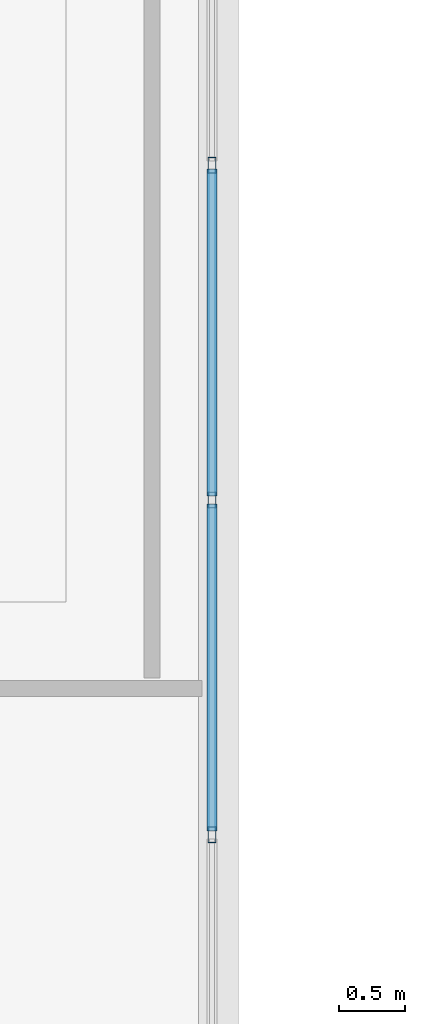
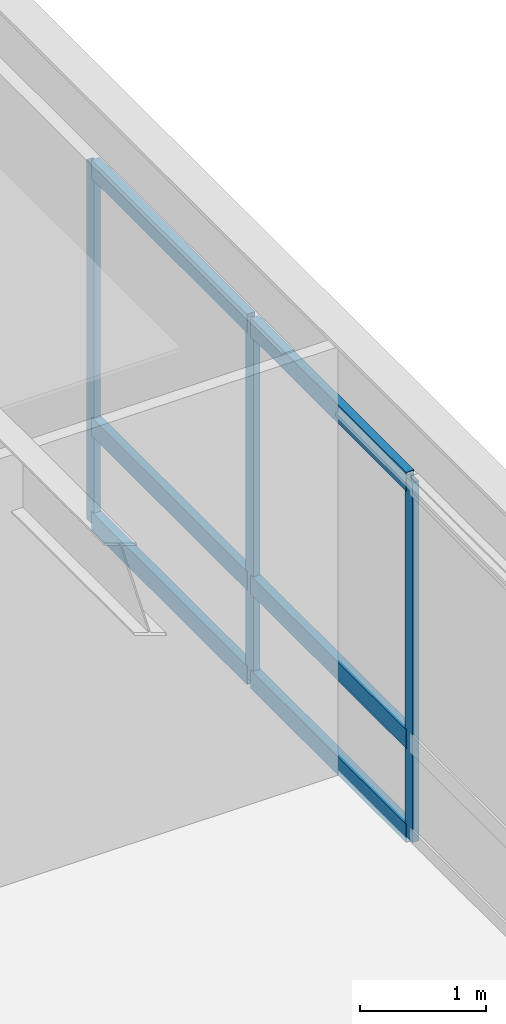
# One storey, part 69 of 127: 9 members, 1 element without a shape of its own.
"""IFC4 building model written with IfcOpenShell, lengths in metres."""

from ifc_helpers import new_model, si_unit, direction, frame, origin, origin_2d, place, context, subcontext, project, spatial, hollow_rectangle, extrude, material, layer, layer_set, material_profile, profile_set, type_object, element, aggregate, save


model = new_model("IFC4")

# Units and contexts
model_context = context("Model", 3, precision=1e-05, world=origin(), true_north=direction((0.0, 1.0)))
body_context = subcontext(model_context, "Body", "Model", "MODEL_VIEW")
ifc_project = project(units=[si_unit("LENGTHUNIT", "METRE"), si_unit("AREAUNIT", "SQUARE_METRE"), si_unit("VOLUMEUNIT", "CUBIC_METRE"), si_unit("PLANEANGLEUNIT", "RADIAN"), si_unit("MASSUNIT", "GRAM", prefix="KILO")], contexts=[model_context])

# Site, building, storey
site_placement = place(None, origin())
site = spatial("IfcSite", under=ifc_project, at=site_placement, CompositionType="ELEMENT")
building_placement = place(site_placement, origin())
building = spatial("IfcBuilding", under=site, at=building_placement, Name="Montelvaro Courts of Justice", CompositionType="ELEMENT")
storey_placement = place(building_placement, frame((0.0, 0.0, 5.39990234375)))
storey = spatial("IfcBuildingStorey", under=building, at=storey_placement, Name="L01", CompositionType="ELEMENT", Elevation=5.39990234375)

# Curtain wall, members
ifc_material = material(Name="Anodised aluminium EN AW-6063", Category="aluminium")
ifc_layer = layer(ifc_material, 0.159912109375)
ifc_layer_set = layer_set([ifc_layer], Name="Anodised aluminium EN AW-6063")
curtain_wall_type = type_object("IfcCurtainWallType", Name="CurtainWall_15_1765x418", PredefinedType="USERDEFINED", material=ifc_layer_set)
curtain_wall_placement = place(storey_placement, origin())
curtain_wall = element("IfcCurtainWall", 1, at=curtain_wall_placement, inside=storey, type_object=curtain_wall_type, Name="Curtain Wall CW-15 (L01)", ObjectType="CURTAIN WALL", PredefinedType="USERDEFINED")
ifc_material_profile_1 = material_profile(ifc_material, hollow_rectangle(XDim=0.06005859375, YDim=0.1201171875, WallThickness=0.00341796875, at=origin_2d()), Name="ALU-M 60x120")
ifc_profile_set_1 = profile_set([ifc_material_profile_1], Name="Anodised aluminium EN AW-6063")
member_type_1 = type_object("IfcMemberType", Name="CurtainWall_Mullion_60x120", PredefinedType="MULLION", material=ifc_profile_set_1)
member_1_placement = place(storey_placement, frame((80.949951171875, 80.69775390625, 0.0), z_axis=(0.0, 0.0, 1.0), x_axis=(-1.0, 0.0, 0.0)))
member_1 = element("IfcMember", 2, at=member_1_placement, type_object=member_type_1, Name="CW-15 mullion 2", PredefinedType="MULLION", context=body_context, shape_type="SweptSolid", body=[
    extrude(hollow_rectangle(XDim=0.06005859375, YDim=0.1201171875, WallThickness=0.00341796875, at=origin_2d()), origin(), (0.0, 0.0, 1.0), 3.47509765625),
])
member_2_placement = place(storey_placement, frame((80.949951171875, 83.21875, 0.0), z_axis=(0.0, 0.0, 1.0), x_axis=(-1.0, 0.0, 0.0)))
member_2 = element("IfcMember", 3, at=member_2_placement, type_object=member_type_1, Name="CW-15 mullion 3", PredefinedType="MULLION", context=body_context, shape_type="SweptSolid", body=[
    extrude(hollow_rectangle(XDim=0.06005859375, YDim=0.1201171875, WallThickness=0.00341796875, at=origin_2d()), origin(), (0.0, 0.0, 1.0), 3.47509765625),
])
member_3_placement = place(storey_placement, frame((80.949951171875, 85.739501953125, 0.0), z_axis=(0.0, 0.0, 1.0), x_axis=(-1.0, 0.0, 0.0)))
member_3 = element("IfcMember", 4, at=member_3_placement, type_object=member_type_1, Name="CW-15 mullion 4", PredefinedType="MULLION", context=body_context, shape_type="SweptSolid", body=[
    extrude(hollow_rectangle(XDim=0.06005859375, YDim=0.1201171875, WallThickness=0.00341796875, at=origin_2d()), origin(), (0.0, 0.0, 1.0), 3.47509765625),
])
ifc_material_profile_2 = material_profile(ifc_material, hollow_rectangle(XDim=0.074951171875, YDim=0.179931640625, WallThickness=0.0048828125, at=origin_2d()), Name="ALU-T 75x180")
ifc_profile_set_2 = profile_set([ifc_material_profile_2], Name="Anodised aluminium EN AW-6063")
member_type_2 = type_object("IfcMemberType", Name="CurtainWall_Transom_75x180", PredefinedType="USERDEFINED", material=ifc_profile_set_2)
member_4_placement = place(storey_placement, frame((80.949951171875, 80.727783203125, 0.03759765625), z_axis=(0.0, 1.0, 0.0), x_axis=(-1.0, 0.0, 0.0)))
member_4 = element("IfcMember", 5, at=member_4_placement, type_object=member_type_2, Name="CW-15 transom 2.1", ObjectType="TRANSOM", PredefinedType="USERDEFINED", context=body_context, shape_type="SweptSolid", body=[
    extrude(hollow_rectangle(XDim=0.074951171875, YDim=0.179931640625, WallThickness=0.0048828125, at=origin_2d()), origin(), (0.0, 0.0, 1.0), 2.4609375),
])
member_5_placement = place(storey_placement, frame((80.949951171875, 80.727783203125, 0.9501953125), z_axis=(0.0, 1.0, 0.0), x_axis=(-1.0, 0.0, 0.0)))
member_5 = element("IfcMember", 6, at=member_5_placement, type_object=member_type_2, Name="CW-15 transom 2.2", ObjectType="TRANSOM", PredefinedType="USERDEFINED", context=body_context, shape_type="SweptSolid", body=[
    extrude(hollow_rectangle(XDim=0.074951171875, YDim=0.179931640625, WallThickness=0.0048828125, at=origin_2d()), origin(), (0.0, 0.0, 1.0), 2.4609375),
])
member_6_placement = place(storey_placement, frame((80.949951171875, 80.727783203125, 3.4375), z_axis=(0.0, 1.0, 0.0), x_axis=(-1.0, 0.0, 0.0)))
member_6 = element("IfcMember", 7, at=member_6_placement, type_object=member_type_2, Name="CW-15 transom 2.3", ObjectType="TRANSOM", PredefinedType="USERDEFINED", context=body_context, shape_type="SweptSolid", body=[
    extrude(hollow_rectangle(XDim=0.074951171875, YDim=0.179931640625, WallThickness=0.0048828125, at=origin_2d()), origin(), (0.0, 0.0, 1.0), 2.4609375),
])
member_7_placement = place(storey_placement, frame((80.949951171875, 83.248779296875, 0.03759765625), z_axis=(0.0, 1.0, 0.0), x_axis=(-1.0, 0.0, 0.0)))
member_7 = element("IfcMember", 8, at=member_7_placement, type_object=member_type_2, Name="CW-15 transom 3.1", ObjectType="TRANSOM", PredefinedType="USERDEFINED", context=body_context, shape_type="SweptSolid", body=[
    extrude(hollow_rectangle(XDim=0.074951171875, YDim=0.179931640625, WallThickness=0.0048828125, at=origin_2d()), origin(), (0.0, 0.0, 1.0), 2.460693359375),
])
member_8_placement = place(storey_placement, frame((80.949951171875, 83.248779296875, 0.9501953125), z_axis=(0.0, 1.0, 0.0), x_axis=(-1.0, 0.0, 0.0)))
member_8 = element("IfcMember", 9, at=member_8_placement, type_object=member_type_2, Name="CW-15 transom 3.2", ObjectType="TRANSOM", PredefinedType="USERDEFINED", context=body_context, shape_type="SweptSolid", body=[
    extrude(hollow_rectangle(XDim=0.074951171875, YDim=0.179931640625, WallThickness=0.0048828125, at=origin_2d()), origin(), (0.0, 0.0, 1.0), 2.460693359375),
])
member_9_placement = place(storey_placement, frame((80.949951171875, 83.248779296875, 3.4375), z_axis=(0.0, 1.0, 0.0), x_axis=(-1.0, 0.0, 0.0)))
member_9 = element("IfcMember", 10, at=member_9_placement, type_object=member_type_2, Name="CW-15 transom 3.3", ObjectType="TRANSOM", PredefinedType="USERDEFINED", context=body_context, shape_type="SweptSolid", body=[
    extrude(hollow_rectangle(XDim=0.074951171875, YDim=0.179931640625, WallThickness=0.0048828125, at=origin_2d()), origin(), (0.0, 0.0, 1.0), 2.460693359375),
])
aggregate(curtain_wall, [member_1, member_2, member_3, member_4, member_5, member_6, member_7, member_8, member_9])

save(model, "model.ifc")
